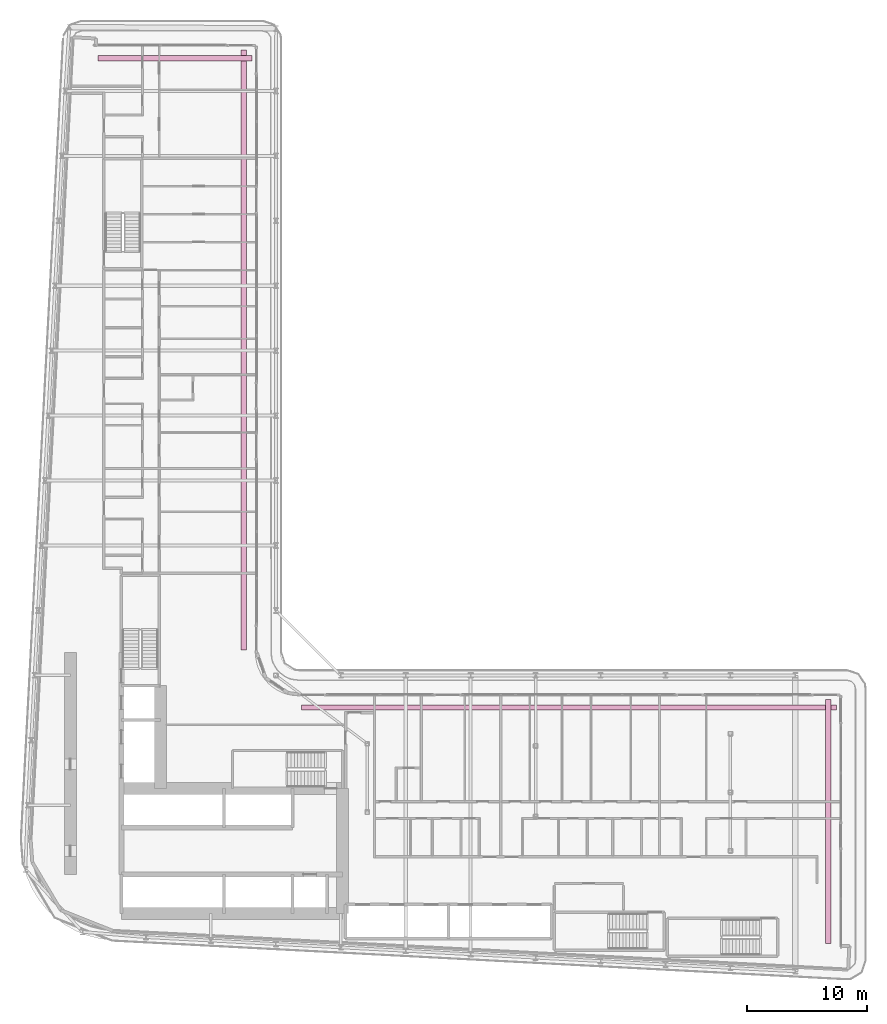
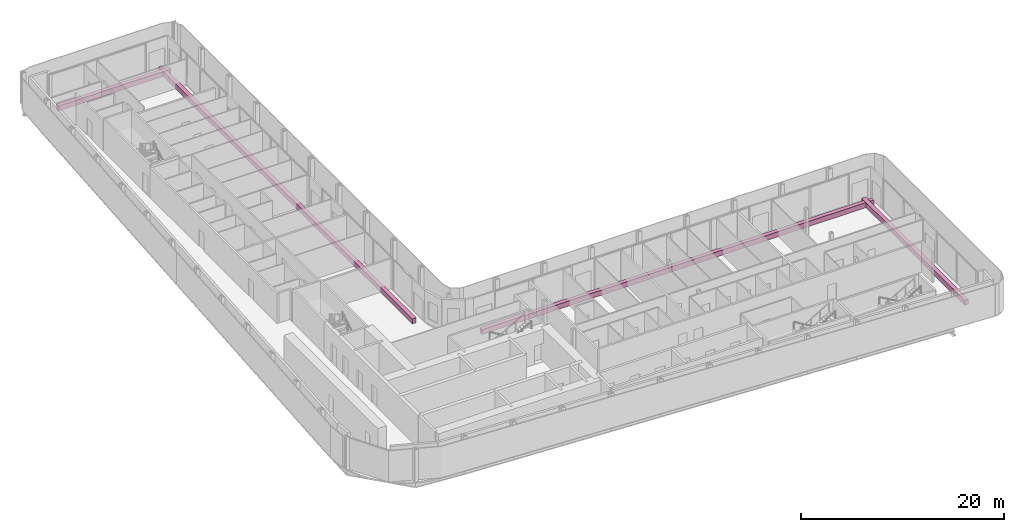
# One storey, part 28 of 28: 4 furniture elements.
"""IFC4 building model written with IfcOpenShell, lengths in metres."""

from ifc_helpers import new_model, si_unit, direction, frame, origin, origin_2d, place, context, subcontext, project, spatial, rectangle, extrude, material, type_object, element, save


model = new_model("IFC4")

# Units and contexts
model_context = context("Model", 3, precision=1e-05, world=origin(), true_north=direction((0.0, 1.0)))
body_context = subcontext(model_context, "Body", "Model", "MODEL_VIEW")
ifc_project = project(units=[si_unit("LENGTHUNIT", "METRE"), si_unit("AREAUNIT", "SQUARE_METRE"), si_unit("VOLUMEUNIT", "CUBIC_METRE"), si_unit("PLANEANGLEUNIT", "RADIAN"), si_unit("MASSUNIT", "GRAM", prefix="KILO")], contexts=[model_context])

# Site, building, storey
site_placement = place(None, origin())
site = spatial("IfcSite", under=ifc_project, at=site_placement, CompositionType="ELEMENT")
building_placement = place(site_placement, origin())
building = spatial("IfcBuilding", under=site, at=building_placement, Name="Kheshtan School and Residences Tower", CompositionType="ELEMENT")
storey_placement = place(building_placement, frame((0.0, 0.0, 42.199951171875)))
storey = spatial("IfcBuildingStorey", under=building, at=storey_placement, Name="L09", CompositionType="ELEMENT", Elevation=42.199951171875)

# Furniture
ifc_material = material(Name="Precast concrete C30/37 in terracotta finish", Category="masonry")
furniture_type = type_object("IfcFurnitureType", Name="Planter trough", AssemblyPlace="NOTDEFINED", PredefinedType="USERDEFINED", material=ifc_material)
furniture_1_placement = place(storey_placement, frame((39.196044921875, 96.925048828125, 0.0), z_axis=(0.0, 0.0, 1.0), x_axis=(1.0, 0.0, 0.0)))
element("IfcFurniture", 1, at=furniture_1_placement, inside=storey, type_object=furniture_type, Name="Planter L09", ObjectType="PLANTER", PredefinedType="USERDEFINED", context=body_context, shape_type="SweptSolid", body=[
    extrude(rectangle(XDim=12.80810546875, YDim=0.449951171875, at=origin_2d()), origin(), (0.0, 0.0, 1.0), 0.60009765625),
])
furniture_2_placement = place(storey_placement, frame((44.925048828125, 72.6650390625, 0.0), z_axis=(0.0, 0.0, 1.0), x_axis=(0.0, -1.0, 0.0)))
element("IfcFurniture", 2, at=furniture_2_placement, inside=storey, type_object=furniture_type, Name="Planter L09", ObjectType="PLANTER", PredefinedType="USERDEFINED", context=body_context, shape_type="SweptSolid", body=[
    extrude(rectangle(XDim=49.8701171875, YDim=0.449951171875, at=origin_2d()), origin(), (0.0, 0.0, 1.0), 0.60009765625),
])
furniture_3_placement = place(storey_placement, frame((71.965087890625, 42.925048828125, 0.0), z_axis=(0.0, 0.0, 1.0), x_axis=(1.0, 0.0, 0.0)))
element("IfcFurniture", 3, at=furniture_3_placement, inside=storey, type_object=furniture_type, Name="Planter L09", ObjectType="PLANTER", PredefinedType="USERDEFINED", context=body_context, shape_type="SweptSolid", body=[
    extrude(rectangle(XDim=44.469970703125, YDim=0.449951171875, at=origin_2d()), origin(), (0.0, 0.0, 1.0), 0.60009765625),
])
furniture_4_placement = place(storey_placement, frame((93.52490234375, 33.448974609375, 0.0), z_axis=(0.0, 0.0, 1.0), x_axis=(0.0, -1.0, 0.0)))
element("IfcFurniture", 4, at=furniture_4_placement, inside=storey, type_object=furniture_type, Name="Planter L09", ObjectType="PLANTER", PredefinedType="USERDEFINED", context=body_context, shape_type="SweptSolid", body=[
    extrude(rectangle(XDim=20.302001953125, YDim=0.449951171875, at=origin_2d()), origin(), (0.0, 0.0, 1.0), 0.60009765625),
])

save(model, "model.ifc")
